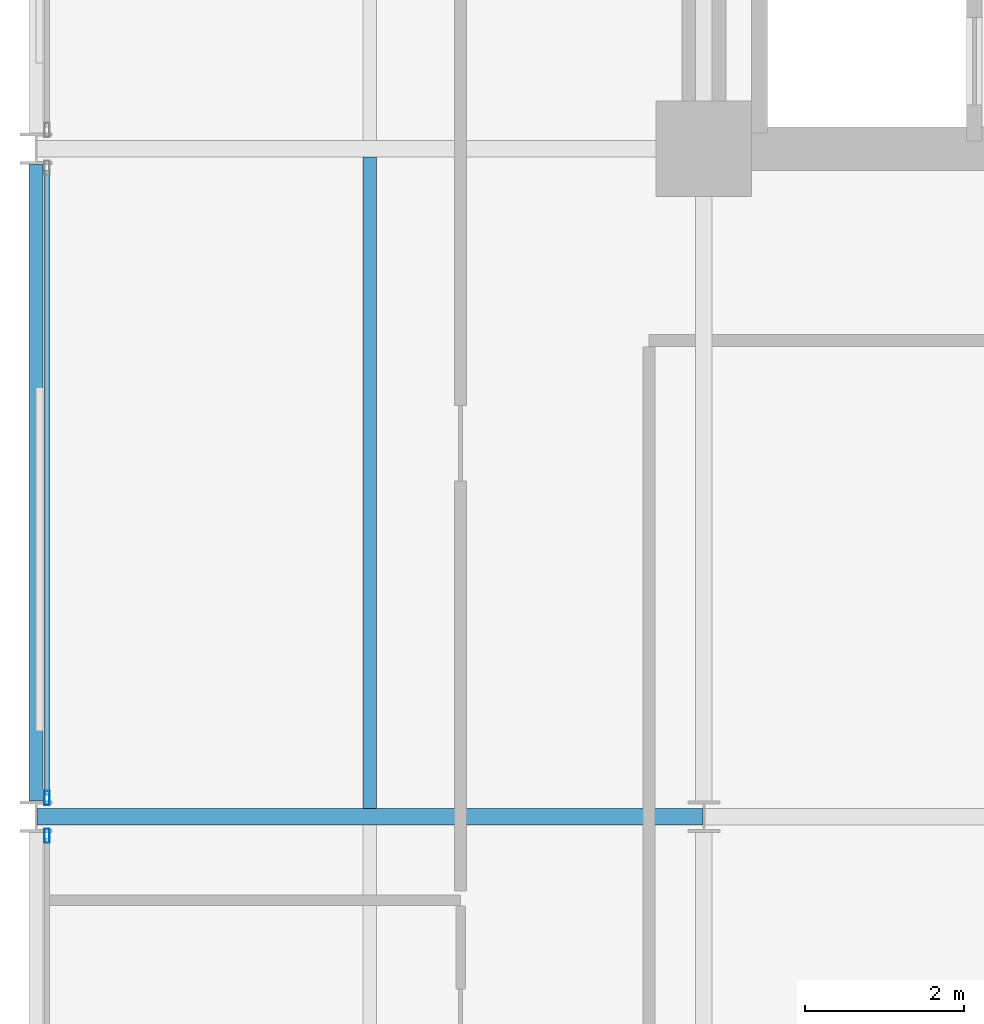
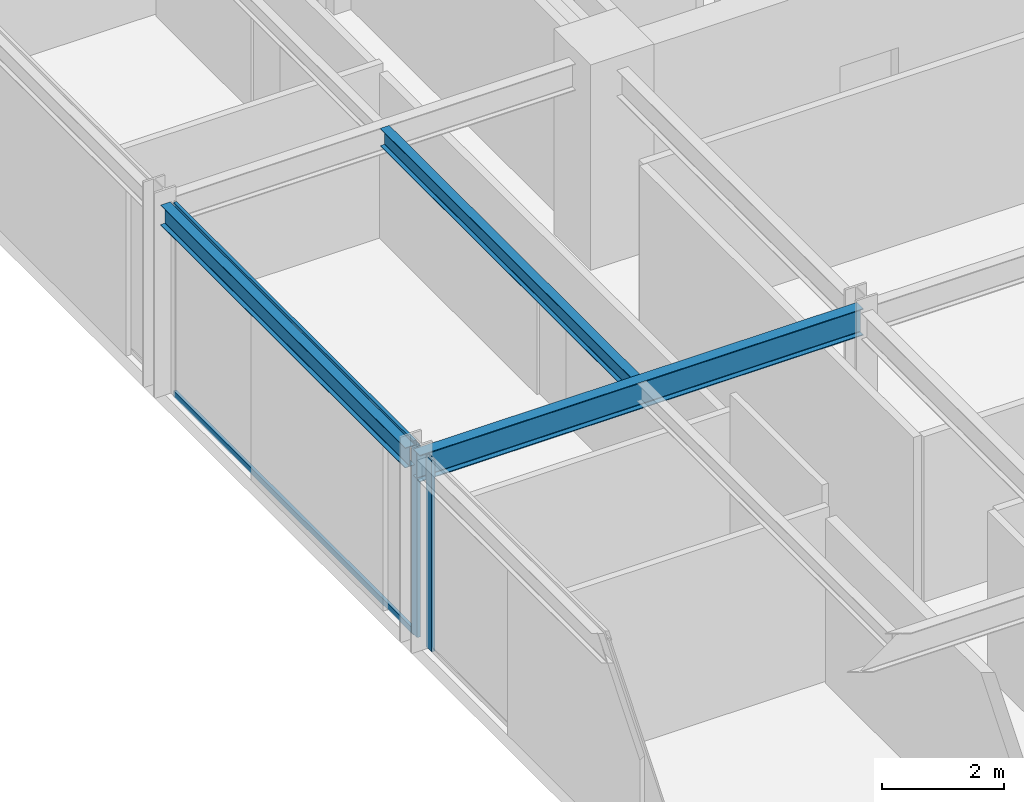
# One storey, part 8 of 29: 4 members, 3 beams, 2 elements without a shape of their own.
"""IFC4 building model written with IfcOpenShell, lengths in metres."""

from ifc_helpers import new_model, si_unit, direction, frame, origin, origin_2d, place, context, subcontext, project, spatial, hollow_rectangle, i_section, extrude, material, layer, layer_set, material_profile, profile_set, type_object, element, aggregate, save


model = new_model("IFC4")

# Units and contexts
model_context = context("Model", 3, precision=1e-05, world=origin(), true_north=direction((0.0, 1.0)))
body_context = subcontext(model_context, "Body", "Model", "MODEL_VIEW")
ifc_project = project(units=[si_unit("LENGTHUNIT", "METRE"), si_unit("AREAUNIT", "SQUARE_METRE"), si_unit("VOLUMEUNIT", "CUBIC_METRE"), si_unit("PLANEANGLEUNIT", "RADIAN"), si_unit("MASSUNIT", "GRAM", prefix="KILO")], contexts=[model_context])

# Site, building, storey
site_placement = place(None, origin())
site = spatial("IfcSite", under=ifc_project, at=site_placement, CompositionType="ELEMENT")
building_placement = place(site_placement, origin())
building = spatial("IfcBuilding", under=site, at=building_placement, Name="Nerrivon Quay Data Exchange", CompositionType="ELEMENT")
storey_placement = place(building_placement, frame((0.0, 0.0, 137.699951171875)))
storey = spatial("IfcBuildingStorey", under=building, at=storey_placement, Name="L32", CompositionType="ELEMENT", Elevation=137.699951171875)

# Beams
ifc_material_1 = material(Name="Steel Grade 350", Category="steel")
ifc_material_profile_1 = material_profile(ifc_material_1, i_section(OverallWidth=0.208984375, OverallDepth=0.532958984375, WebThickness=0.01025390625, FlangeThickness=0.015625, FilletRadius=0.013916015625, at=origin_2d()), Name="530UB92.4")
ifc_profile_set_1 = profile_set([ifc_material_profile_1], Name="Steel Grade 350")
beam_type_1 = type_object("IfcBeamType", Name="BM-G3-530UB92", PredefinedType="BEAM", material=ifc_profile_set_1)
beam_1_placement = place(storey_placement, frame((0.012451171875, 16.800048828125, 3.55859375), z_axis=(1.0, 0.0, 0.0), x_axis=(0.0, 1.0, 0.0)))
element("IfcBeam", 1, at=beam_1_placement, inside=storey, type_object=beam_type_1, Name="L32 EW Girder Y=16.8 (0.0..8.4)", PredefinedType="BEAM", context=body_context, shape_type="SweptSolid", body=[
    extrude(i_section(OverallWidth=0.208984375, OverallDepth=0.532958984375, WebThickness=0.01025390625, FlangeThickness=0.015625, FilletRadius=0.013916015625, at=origin_2d()), origin(), (0.0, 0.0, 1.0), 8.375),
])
ifc_material_profile_2 = material_profile(ifc_material_1, i_section(OverallWidth=0.1708984375, OverallDepth=0.35595703125, WebThickness=0.00732421875, FlangeThickness=0.011474609375, FilletRadius=0.011474609375, at=origin_2d()), Name="360UB50.7")
ifc_profile_set_2 = profile_set([ifc_material_profile_2], Name="Steel Grade 350")
beam_type_2 = type_object("IfcBeamType", Name="BM-J4-360UB51", PredefinedType="JOIST", material=ifc_profile_set_2)
beam_2_placement = place(storey_placement, frame((4.199951171875, 16.904541015625, 3.64697265625), z_axis=(0.0, 1.0, 0.0), x_axis=(-1.0, 0.0, 0.0)))
element("IfcBeam", 2, at=beam_2_placement, inside=storey, type_object=beam_type_2, Name="L32 Secondary Joist X=4.2 (16.8..25.2)", PredefinedType="JOIST", context=body_context, shape_type="SweptSolid", body=[
    extrude(i_section(OverallWidth=0.1708984375, OverallDepth=0.35595703125, WebThickness=0.00732421875, FlangeThickness=0.011474609375, FilletRadius=0.011474609375, at=origin_2d()), origin(), (0.0, 0.0, 1.0), 8.19091796875),
])
ifc_material_profile_3 = material_profile(ifc_material_1, i_section(OverallWidth=0.177978515625, OverallDepth=0.403076171875, WebThickness=0.007568359375, FlangeThickness=0.010986328125, FilletRadius=0.011474609375, at=origin_2d()), Name="410UB53.7")
ifc_profile_set_3 = profile_set([ifc_material_profile_3], Name="Steel Grade 350")
beam_type_3 = type_object("IfcBeamType", Name="BM-SP2-410UB54", PredefinedType="SPANDREL", material=ifc_profile_set_3)
beam_3_placement = place(storey_placement, frame((0.0, 17.0, 3.62353515625), z_axis=(0.0, 1.0, 0.0), x_axis=(-1.0, 0.0, 0.0)))
element("IfcBeam", 3, at=beam_3_placement, inside=storey, type_object=beam_type_3, Name="L32 NS Girder X=0.0 (16.8..25.2)", PredefinedType="SPANDREL", context=body_context, shape_type="SweptSolid", body=[
    extrude(i_section(OverallWidth=0.177978515625, OverallDepth=0.403076171875, WebThickness=0.007568359375, FlangeThickness=0.010986328125, FilletRadius=0.011474609375, at=origin_2d()), origin(), (0.0, 0.0, 1.0), 8.0),
])

# Curtain wall, member
ifc_material_2 = material(Name="Anodised aluminium 6063-T6", Category="aluminium")
ifc_layer = layer(ifc_material_2, 0.2099609375)
ifc_layer_set = layer_set([ifc_layer], Name="Anodised aluminium 6063-T6")
curtain_wall_type = type_object("IfcCurtainWallType", Name="CW-SYS-02", PredefinedType="NOTDEFINED", material=ifc_layer_set)
curtain_wall_1_placement = place(storey_placement, origin())
curtain_wall_1 = element("IfcCurtainWall", 4, at=curtain_wall_1_placement, inside=storey, type_object=curtain_wall_type, Name="L32 Unitised Curtain Wall 12", PredefinedType="NOTDEFINED")
ifc_material_profile_4 = material_profile(ifc_material_2, hollow_rectangle(XDim=0.06494140625, YDim=0.179931640625, WallThickness=0.00341796875, at=origin_2d()), Name="ALU-MULL-180x65")
ifc_profile_set_4 = profile_set([ifc_material_profile_4], Name="Anodised aluminium 6063-T6")
member_type_1 = type_object("IfcMemberType", Name="CWM-180x65", PredefinedType="MULLION", material=ifc_profile_set_4)
member_1_placement = place(storey_placement, frame((0.139892578125, 16.5625, 0.0), z_axis=(0.0, 0.0, 1.0), x_axis=(-1.0, 0.0, 0.0)))
member_1 = element("IfcMember", 5, at=member_1_placement, type_object=member_type_1, Name="CW02 mullion 2", PredefinedType="MULLION", context=body_context, shape_type="SweptSolid", body=[
    extrude(hollow_rectangle(XDim=0.06494140625, YDim=0.179931640625, WallThickness=0.00341796875, at=origin_2d()), origin(), (0.0, 0.0, 1.0), 3.824951171875),
])
aggregate(curtain_wall_1, [member_1])

# Curtain wall, members
curtain_wall_2_placement = place(storey_placement, origin())
curtain_wall_2 = element("IfcCurtainWall", 6, at=curtain_wall_2_placement, inside=storey, type_object=curtain_wall_type, Name="L32 Unitised Curtain Wall 13", PredefinedType="NOTDEFINED")
member_2_placement = place(storey_placement, frame((0.139892578125, 17.03759765625, 0.0), z_axis=(0.0, 0.0, 1.0), x_axis=(-1.0, 0.0, 0.0)))
member_2 = element("IfcMember", 7, at=member_2_placement, type_object=member_type_1, Name="CW02 mullion 1", PredefinedType="MULLION", context=body_context, shape_type="SweptSolid", body=[
    extrude(hollow_rectangle(XDim=0.06494140625, YDim=0.179931640625, WallThickness=0.00341796875, at=origin_2d()), origin(), (0.0, 0.0, 1.0), 3.824951171875),
])
ifc_material_profile_5 = material_profile(ifc_material_2, hollow_rectangle(XDim=0.06005859375, YDim=0.1201171875, WallThickness=0.003173828125, at=origin_2d()), Name="ALU-TRAN-120x60")
ifc_profile_set_5 = profile_set([ifc_material_profile_5], Name="Anodised aluminium 6063-T6")
member_type_2 = type_object("IfcMemberType", Name="CWT-120x60", PredefinedType="USERDEFINED", material=ifc_profile_set_5)
member_3_placement = place(storey_placement, frame((0.139892578125, 17.074951171875, 0.032470703125), z_axis=(0.0, 1.0, 0.0), x_axis=(-1.0, 0.0, 0.0)))
member_3 = element("IfcMember", 8, at=member_3_placement, type_object=member_type_2, Name="CW02 transom 1.1", ObjectType="TRANSOM", PredefinedType="USERDEFINED", context=body_context, shape_type="SweptSolid", body=[
    extrude(hollow_rectangle(XDim=0.06005859375, YDim=0.1201171875, WallThickness=0.003173828125, at=origin_2d()), origin(), (0.0, 0.0, 1.0), 7.85009765625),
])
member_4_placement = place(storey_placement, frame((0.139892578125, 17.074951171875, 3.79248046875), z_axis=(0.0, 1.0, 0.0), x_axis=(-1.0, 0.0, 0.0)))
member_4 = element("IfcMember", 9, at=member_4_placement, type_object=member_type_2, Name="CW02 transom 1.2", ObjectType="TRANSOM", PredefinedType="USERDEFINED", context=body_context, shape_type="SweptSolid", body=[
    extrude(hollow_rectangle(XDim=0.06005859375, YDim=0.1201171875, WallThickness=0.003173828125, at=origin_2d()), origin(), (0.0, 0.0, 1.0), 7.85009765625),
])
aggregate(curtain_wall_2, [member_2, member_3, member_4])

save(model, "model.ifc")
